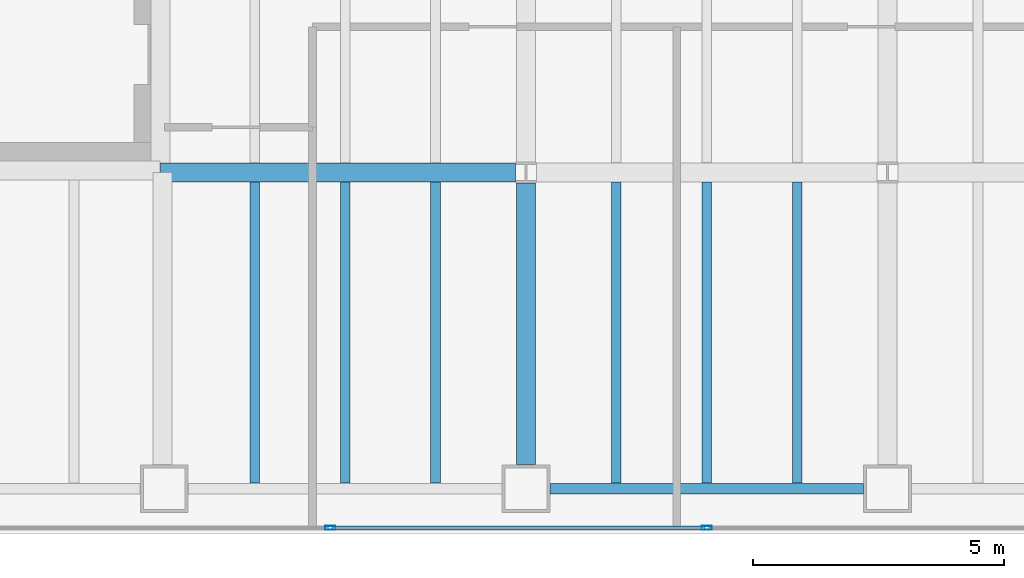
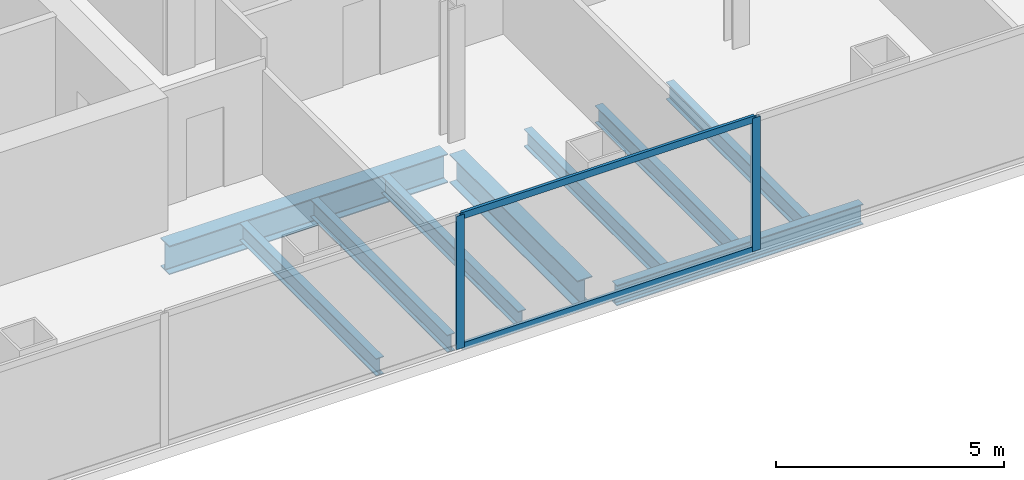
# One storey, part 4 of 24: 9 beams, 4 members, 1 element without a shape of its own.
"""IFC4 building model written with IfcOpenShell, lengths in metres."""

from ifc_helpers import new_model, si_unit, direction, frame, origin, origin_2d, place, context, subcontext, project, spatial, hollow_rectangle, i_section, extrude, material, material_profile, profile_set, type_object, element, aggregate, save


model = new_model("IFC4")

# Units and contexts
model_context = context("Model", 3, precision=1e-05, world=origin(), true_north=direction((0.0, 1.0)))
body_context = subcontext(model_context, "Body", "Model", "MODEL_VIEW")
ifc_project = project(units=[si_unit("LENGTHUNIT", "METRE"), si_unit("AREAUNIT", "SQUARE_METRE"), si_unit("VOLUMEUNIT", "CUBIC_METRE"), si_unit("PLANEANGLEUNIT", "RADIAN"), si_unit("MASSUNIT", "GRAM", prefix="KILO")], contexts=[model_context])

# Site, building, storey
site_placement = place(None, origin())
site = spatial("IfcSite", under=ifc_project, at=site_placement, CompositionType="ELEMENT")
building_placement = place(site_placement, origin())
building = spatial("IfcBuilding", under=site, at=building_placement, Name="Cobrela Telecom Tower", CompositionType="ELEMENT")
storey_placement = place(building_placement, frame((0.0, 0.0, 85.050048828125)))
storey = spatial("IfcBuildingStorey", under=building, at=storey_placement, Name="L21", CompositionType="ELEMENT", Elevation=85.050048828125)

# Beams
ifc_material_1 = material(Name="Steel ASTM A992 Grade 50", Category="steel")
ifc_material_profile_1 = material_profile(ifc_material_1, i_section(OverallWidth=0.381103515625, OverallDepth=0.77197265625, WebThickness=0.0166015625, FlangeThickness=0.027099609375, FilletRadius=0.01904296875, at=origin_2d()), Name="W30X173")
ifc_profile_set_1 = profile_set([ifc_material_profile_1], Name="Steel ASTM A992 Grade 50")
beam_type_1 = type_object("IfcBeamType", Name="BM-GIRD-04", PredefinedType="USERDEFINED", material=ifc_profile_set_1)
beam_1_placement = place(storey_placement, frame((14.324951171875, 7.199951171875, -0.666015625), z_axis=(1.0, 0.0, 0.0), x_axis=(0.0, 1.0, 0.0)))
element("IfcBeam", 1, at=beam_1_placement, inside=storey, type_object=beam_type_1, Name="L21 Primary Girder X08", ObjectType="GIRDER", PredefinedType="USERDEFINED", context=body_context, shape_type="SweptSolid", body=[
    extrude(i_section(OverallWidth=0.381103515625, OverallDepth=0.77197265625, WebThickness=0.0166015625, FlangeThickness=0.027099609375, FilletRadius=0.01904296875, at=origin_2d()), origin(), (0.0, 0.0, 1.0), 7.0654296875),
])
beam_2_placement = place(storey_placement, frame((21.60009765625, 1.3798828125, -0.666015625), z_axis=(0.0, 1.0, 0.0), x_axis=(-1.0, 0.0, 0.0)))
element("IfcBeam", 2, at=beam_2_placement, inside=storey, type_object=beam_type_1, Name="L21 Primary Girder Y40", ObjectType="GIRDER", PredefinedType="USERDEFINED", context=body_context, shape_type="SweptSolid", body=[
    extrude(i_section(OverallWidth=0.381103515625, OverallDepth=0.77197265625, WebThickness=0.0166015625, FlangeThickness=0.027099609375, FilletRadius=0.01904296875, at=origin_2d()), origin(), (0.0, 0.0, 1.0), 5.610595703125),
])
ifc_material_profile_2 = material_profile(ifc_material_1, i_section(OverallWidth=0.193115234375, OverallDepth=0.467041015625, WebThickness=0.011474609375, FlangeThickness=0.01904296875, FilletRadius=0.012939453125, at=origin_2d()), Name="W18X65")
ifc_profile_set_2 = profile_set([ifc_material_profile_2], Name="Steel ASTM A992 Grade 50")
beam_type_2 = type_object("IfcBeamType", Name="BM-JOIST-03", PredefinedType="JOIST", material=ifc_profile_set_2)
for number, where, z_axis, x_axis, name in (
    (3, (16.199951171875, 1.011474609375, -0.513427734375), (0.0, 1.0, 0.0), (-1.0, 0.0, 0.0), "L21 Secondary Composite Floor Beam J07"),
    (4, (18.0, 1.011474609375, -0.513427734375), (0.0, 1.0, 0.0), (-1.0, 0.0, 0.0), "L21 Secondary Composite Floor Beam J13"),
    (5, (19.800048828125, 1.011474609375, -0.513427734375), (0.0, 1.0, 0.0), (-1.0, 0.0, 0.0), "L21 Secondary Composite Floor Beam J19"),
    (6, (23.39990234375, 1.011474609375, -0.513427734375), (0.0, 1.0, 0.0), (-1.0, 0.0, 0.0), "L21 Secondary Composite Floor Beam J25"),
    (7, (25.199951171875, 1.011474609375, -0.513427734375), (0.0, 1.0, 0.0), (-1.0, 0.0, 0.0), "L21 Secondary Composite Floor Beam J31"),
    (8, (27.0, 1.011474609375, -0.513427734375), (0.0, 1.0, 0.0), (-1.0, 0.0, 0.0), "L21 Secondary Composite Floor Beam J36"),
):
    element("IfcBeam", number, at=place(storey_placement, frame(where, z_axis=z_axis, x_axis=x_axis)), inside=storey, type_object=beam_type_2, Name=name, PredefinedType="JOIST", context=body_context, shape_type="SweptSolid", body=[
        extrude(i_section(OverallWidth=0.193115234375, OverallDepth=0.467041015625, WebThickness=0.011474609375, FlangeThickness=0.01904296875, FilletRadius=0.012939453125, at=origin_2d()), origin(), (0.0, 0.0, 1.0), 5.992919921875),
    ])
ifc_material_profile_3 = material_profile(ifc_material_1, i_section(OverallWidth=0.212890625, OverallDepth=0.549072265625, WebThickness=0.0146484375, FlangeThickness=0.023681640625, FilletRadius=0.013916015625, at=origin_2d()), Name="W21X93")
ifc_profile_set_3 = profile_set([ifc_material_profile_3], Name="Steel ASTM A992 Grade 50")
beam_type_3 = type_object("IfcBeamType", Name="BM-SPAND-03", PredefinedType="SPANDREL", material=ifc_profile_set_3)
beam_3_placement = place(storey_placement, frame((22.080078125, 0.89990234375, -0.554443359375), z_axis=(1.0, 0.0, 0.0), x_axis=(0.0, 1.0, 0.0)))
element("IfcBeam", 9, at=beam_3_placement, inside=storey, type_object=beam_type_3, Name="L21 Perimeter Spandrel X03", PredefinedType="SPANDREL", context=body_context, shape_type="SweptSolid", body=[
    extrude(i_section(OverallWidth=0.212890625, OverallDepth=0.549072265625, WebThickness=0.0146484375, FlangeThickness=0.023681640625, FilletRadius=0.013916015625, at=origin_2d()), origin(), (0.0, 0.0, 1.0), 6.239990234375),
])

# Curtain wall, members
ifc_material_2 = material(Name="Anodized Bronze Aluminium 6063-T6", Category="aluminium")
curtain_wall_type = type_object("IfcCurtainWallType", Name="CW-SYS-DATA", PredefinedType="USERDEFINED", material=ifc_material_2)
curtain_wall_placement = place(storey_placement, origin())
curtain_wall = element("IfcCurtainWall", 10, at=curtain_wall_placement, inside=storey, type_object=curtain_wall_type, Name="L21 Unitised Bronze Curtain Wall 17", ObjectType="UNITISED CURTAIN WALL", PredefinedType="USERDEFINED")
ifc_material_profile_4 = material_profile(ifc_material_2, hollow_rectangle(XDim=0.080078125, YDim=0.199951171875, WallThickness=0.00390625, at=origin_2d()), Name="ALU 80x200x4")
ifc_profile_set_4 = profile_set([ifc_material_profile_4], Name="Anodized Bronze Aluminium 6063-T6")
member_type_1 = type_object("IfcMemberType", Name="CW-SYS-DATA-MUL", PredefinedType="MULLION", material=ifc_profile_set_4)
member_1_placement = place(storey_placement, frame((25.199951171875, 0.1201171875, 0.0), z_axis=(0.0, 0.0, 1.0), x_axis=(0.0, -1.0, 0.0)))
member_1 = element("IfcMember", 11, at=member_1_placement, type_object=member_type_1, Name="CW-DATA mullion 4", PredefinedType="MULLION", context=body_context, shape_type="SweptSolid", body=[
    extrude(hollow_rectangle(XDim=0.080078125, YDim=0.199951171875, WallThickness=0.00390625, at=origin_2d()), origin(), (0.0, 0.0, 1.0), 3.570068359375),
])
member_2_placement = place(storey_placement, frame((17.703369140625, 0.1201171875, 0.0), z_axis=(0.0, 0.0, 1.0), x_axis=(0.0, -1.0, 0.0)))
member_2 = element("IfcMember", 12, at=member_2_placement, type_object=member_type_1, Name="CW-DATA mullion 5", PredefinedType="MULLION", context=body_context, shape_type="SweptSolid", body=[
    extrude(hollow_rectangle(XDim=0.080078125, YDim=0.199951171875, WallThickness=0.00390625, at=origin_2d()), origin(), (0.0, 0.0, 1.0), 3.570068359375),
])
ifc_material_profile_5 = material_profile(ifc_material_2, hollow_rectangle(XDim=0.074951171875, YDim=0.179931640625, WallThickness=0.00390625, at=origin_2d()), Name="ALU 75x180x4")
ifc_profile_set_5 = profile_set([ifc_material_profile_5], Name="Anodized Bronze Aluminium 6063-T6")
member_type_2 = type_object("IfcMemberType", Name="CW-SYS-DATA-TRN", PredefinedType="USERDEFINED", material=ifc_profile_set_5)
member_3_placement = place(storey_placement, frame((25.159912109375, 0.1201171875, 0.037353515625), z_axis=(-1.0, 0.0, 0.0), x_axis=(0.0, -1.0, 0.0)))
member_3 = element("IfcMember", 13, at=member_3_placement, type_object=member_type_2, Name="CW-DATA transom 4.1", ObjectType="TRANSOM", PredefinedType="USERDEFINED", context=body_context, shape_type="SweptSolid", body=[
    extrude(hollow_rectangle(XDim=0.074951171875, YDim=0.179931640625, WallThickness=0.00390625, at=origin_2d()), origin(), (0.0, 0.0, 1.0), 7.41650390625),
])
member_4_placement = place(storey_placement, frame((25.159912109375, 0.1201171875, 3.532470703125), z_axis=(-1.0, 0.0, 0.0), x_axis=(0.0, -1.0, 0.0)))
member_4 = element("IfcMember", 14, at=member_4_placement, type_object=member_type_2, Name="CW-DATA transom 4.2", ObjectType="TRANSOM", PredefinedType="USERDEFINED", context=body_context, shape_type="SweptSolid", body=[
    extrude(hollow_rectangle(XDim=0.074951171875, YDim=0.179931640625, WallThickness=0.00390625, at=origin_2d()), origin(), (0.0, 0.0, 1.0), 7.41650390625),
])
aggregate(curtain_wall, [member_1, member_2, member_3, member_4])

save(model, "model.ifc")
